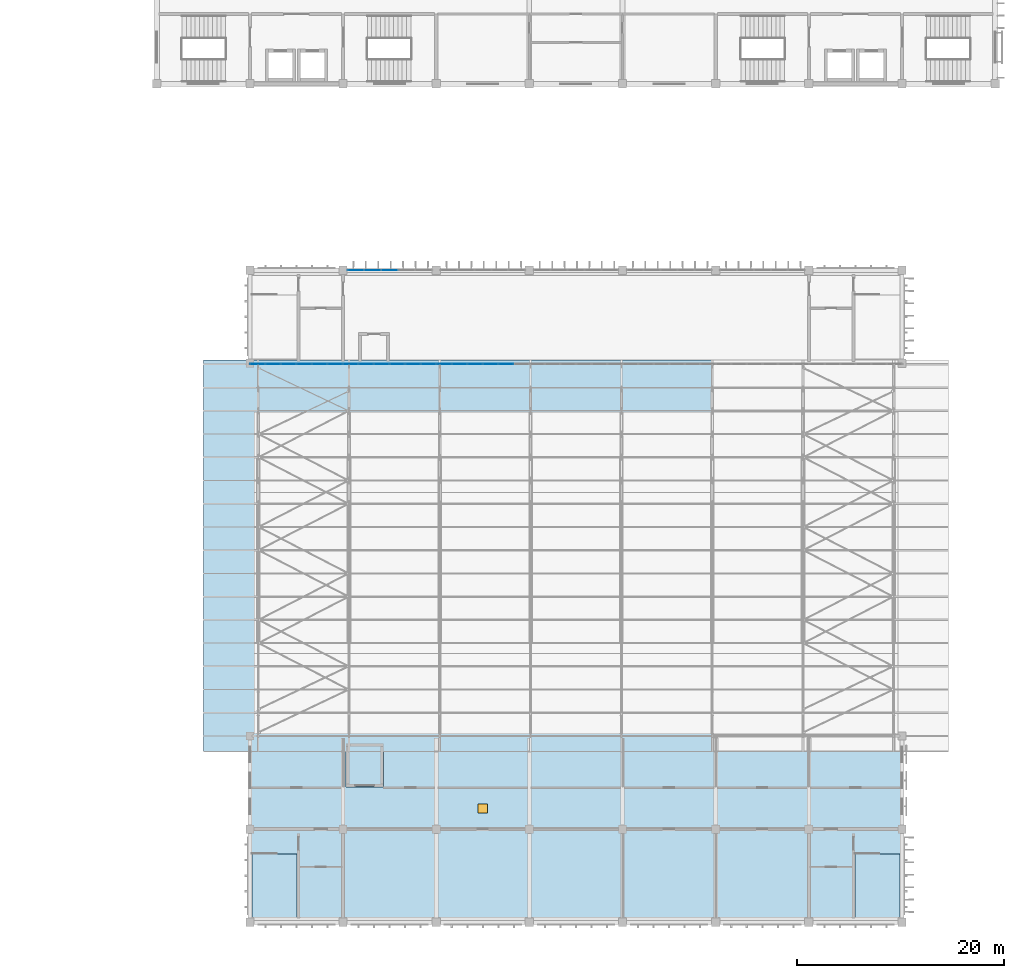
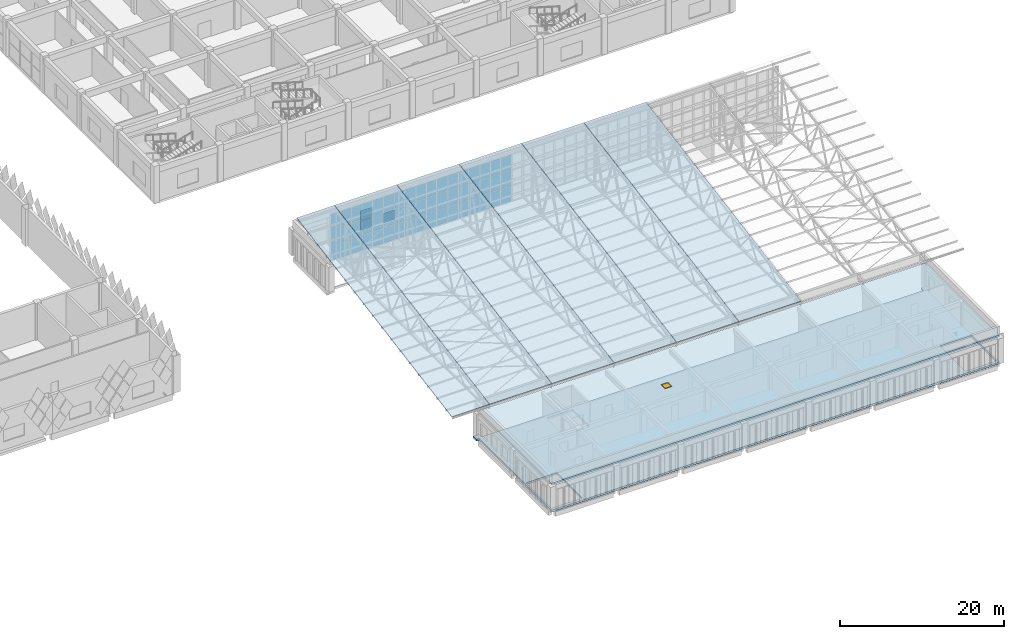
# One storey, part 94 of 185: 56 plates, 8 slabs, 1 window, 1 opening, 2 elements without a shape of their own.
"""IFC4 building model written with IfcOpenShell, lengths in metres."""

from ifc_helpers import new_model, si_unit, direction, frame, origin, origin_2d, place, context, subcontext, project, spatial, polyline, rectangle, outline, extrude, material, layer, layer_set, type_object, element, fill, aggregate, save


model = new_model("IFC4")

# Units and contexts
model_context = context("Model", 3, precision=1e-05, world=origin(), true_north=direction((0.0, 1.0)))
body_context = subcontext(model_context, "Body", "Model", "MODEL_VIEW")
ifc_project = project(units=[si_unit("LENGTHUNIT", "METRE"), si_unit("AREAUNIT", "SQUARE_METRE"), si_unit("VOLUMEUNIT", "CUBIC_METRE"), si_unit("PLANEANGLEUNIT", "RADIAN"), si_unit("MASSUNIT", "GRAM", prefix="KILO")], contexts=[model_context])

# Site, building, storey
site_placement = place(None, origin())
site = spatial("IfcSite", under=ifc_project, at=site_placement, CompositionType="ELEMENT")
building_placement = place(site_placement, origin())
building = spatial("IfcBuilding", under=site, at=building_placement, Name="Opaline Strait Convention Centre", CompositionType="ELEMENT")
storey_placement = place(building_placement, frame((0.0, 0.0, 6.0)))
storey = spatial("IfcBuildingStorey", under=building, at=storey_placement, Name="L01", CompositionType="ELEMENT", Elevation=6.0)

# Curtain wall, plates
ifc_material_1 = material(Name="Aluminium 6063-T5", Category="aluminium")
ifc_layer_1 = layer(ifc_material_1, 0.199951171875)
ifc_layer_set_1 = layer_set([ifc_layer_1], Name="Aluminium 6063-T5")
curtain_wall_type = type_object("IfcCurtainWallType", Name="Unitised curtain wall 1640 module", PredefinedType="NOTDEFINED", material=ifc_layer_set_1)
curtain_wall_1_placement = place(storey_placement, origin())
curtain_wall_1 = element("IfcCurtainWall", 1, at=curtain_wall_1_placement, inside=storey, type_object=curtain_wall_type, Name="Ballroom north curtain wall L01 bay 2", PredefinedType="NOTDEFINED")
ifc_material_2 = material(Name="Double glazed unit low emissivity", Category="glass")
ifc_layer_2 = layer(ifc_material_2, 0.028076171875)
ifc_layer_set_2 = layer_set([ifc_layer_2], Name="Double glazed unit low emissivity")
plate_type = type_object("IfcPlateType", Name="Curtain wall glass panel 28", PredefinedType="CURTAIN_PANEL", material=ifc_layer_set_2)
plate_1_placement = place(storey_placement, frame((298.23486328125, 72.0, 0.06005859375), z_axis=(0.0, 0.0, 1.0), x_axis=(1.0, 0.0, 0.0)))
plate_1 = element("IfcPlate", 2, at=plate_1_placement, type_object=plate_type, Name="BG2 panel 1.1", PredefinedType="CURTAIN_PANEL", context=body_context, shape_type="SweptSolid", body=[
    extrude(rectangle(XDim=1.550048828125, YDim=0.028076171875, at=origin_2d()), origin(), (0.0, 0.0, 1.0), 1.43505859375),
])
plate_2_placement = place(storey_placement, frame((298.23486328125, 72.0, 1.554931640625), z_axis=(0.0, 0.0, 1.0), x_axis=(1.0, 0.0, 0.0)))
plate_2 = element("IfcPlate", 3, at=plate_2_placement, type_object=plate_type, Name="BG2 panel 1.2", PredefinedType="CURTAIN_PANEL", context=body_context, shape_type="SweptSolid", body=[
    extrude(rectangle(XDim=1.550048828125, YDim=0.028076171875, at=origin_2d()), origin(), (0.0, 0.0, 1.0), 1.43505859375),
])
plate_3_placement = place(storey_placement, frame((299.85986328125, 72.0, 0.06005859375), z_axis=(0.0, 0.0, 1.0), x_axis=(1.0, 0.0, 0.0)))
plate_3 = element("IfcPlate", 4, at=plate_3_placement, type_object=plate_type, Name="BG2 panel 2.1", PredefinedType="CURTAIN_PANEL", context=body_context, shape_type="SweptSolid", body=[
    extrude(rectangle(XDim=1.580078125, YDim=0.028076171875, at=origin_2d()), origin(), (0.0, 0.0, 1.0), 1.43505859375),
])
plate_4_placement = place(storey_placement, frame((299.85986328125, 72.0, 1.554931640625), z_axis=(0.0, 0.0, 1.0), x_axis=(1.0, 0.0, 0.0)))
plate_4 = element("IfcPlate", 5, at=plate_4_placement, type_object=plate_type, Name="BG2 panel 2.2", PredefinedType="CURTAIN_PANEL", context=body_context, shape_type="SweptSolid", body=[
    extrude(rectangle(XDim=1.580078125, YDim=0.028076171875, at=origin_2d()), origin(), (0.0, 0.0, 1.0), 1.43505859375),
])
plate_5_placement = place(storey_placement, frame((301.5, 72.0, 0.06005859375), z_axis=(0.0, 0.0, 1.0), x_axis=(1.0, 0.0, 0.0)))
plate_5 = element("IfcPlate", 6, at=plate_5_placement, type_object=plate_type, Name="BG2 panel 3.1", PredefinedType="CURTAIN_PANEL", context=body_context, shape_type="SweptSolid", body=[
    extrude(rectangle(XDim=1.580078125, YDim=0.028076171875, at=origin_2d()), origin(), (0.0, 0.0, 1.0), 1.43505859375),
])
aggregate(curtain_wall_1, [plate_1, plate_2, plate_3, plate_4, plate_5])

curtain_wall_2_placement = place(storey_placement, origin())
curtain_wall_2 = element("IfcCurtainWall", 7, at=curtain_wall_2_placement, inside=storey, type_object=curtain_wall_type, Name="Ballroom north clerestory curtain wall", PredefinedType="NOTDEFINED")
plate_6_placement = place(storey_placement, frame((288.735595703125, 62.929931640625, 4.384765625), z_axis=(0.0, 0.0, 1.0), x_axis=(1.0, 0.0, 0.0)))
plate_6 = element("IfcPlate", 8, at=plate_6_placement, type_object=plate_type, Name="BG2 panel 1.1", PredefinedType="CURTAIN_PANEL", context=body_context, shape_type="SweptSolid", body=[
    extrude(rectangle(XDim=1.411376953125, YDim=0.028076171875, at=origin_2d()), origin(), (0.0, 0.0, 1.0), 2.248291015625),
])
plate_7_placement = place(storey_placement, frame((288.735595703125, 62.929931640625, 6.693359375), z_axis=(0.0, 0.0, 1.0), x_axis=(1.0, 0.0, 0.0)))
plate_7 = element("IfcPlate", 9, at=plate_7_placement, type_object=plate_type, Name="BG2 panel 1.2", PredefinedType="CURTAIN_PANEL", context=body_context, shape_type="SweptSolid", body=[
    extrude(rectangle(XDim=1.411376953125, YDim=0.028076171875, at=origin_2d()), origin(), (0.0, 0.0, 1.0), 2.2783203125),
])
plate_8_placement = place(storey_placement, frame((288.735595703125, 62.929931640625, 9.03173828125), z_axis=(0.0, 0.0, 1.0), x_axis=(1.0, 0.0, 0.0)))
plate_8 = element("IfcPlate", 10, at=plate_8_placement, type_object=plate_type, Name="BG2 panel 1.3", PredefinedType="CURTAIN_PANEL", context=body_context, shape_type="SweptSolid", body=[
    extrude(rectangle(XDim=1.411376953125, YDim=0.028076171875, at=origin_2d()), origin(), (0.0, 0.0, 1.0), 2.248291015625),
])
plate_9_placement = place(storey_placement, frame((290.22216796875, 62.929931640625, 4.384765625), z_axis=(0.0, 0.0, 1.0), x_axis=(1.0, 0.0, 0.0)))
plate_9 = element("IfcPlate", 11, at=plate_9_placement, type_object=plate_type, Name="BG2 panel 2.1", PredefinedType="CURTAIN_PANEL", context=body_context, shape_type="SweptSolid", body=[
    extrude(rectangle(XDim=1.44140625, YDim=0.028076171875, at=origin_2d()), origin(), (0.0, 0.0, 1.0), 2.248291015625),
])
plate_10_placement = place(storey_placement, frame((290.22216796875, 62.929931640625, 6.693359375), z_axis=(0.0, 0.0, 1.0), x_axis=(1.0, 0.0, 0.0)))
plate_10 = element("IfcPlate", 12, at=plate_10_placement, type_object=plate_type, Name="BG2 panel 2.2", PredefinedType="CURTAIN_PANEL", context=body_context, shape_type="SweptSolid", body=[
    extrude(rectangle(XDim=1.44140625, YDim=0.028076171875, at=origin_2d()), origin(), (0.0, 0.0, 1.0), 2.2783203125),
])
plate_11_placement = place(storey_placement, frame((290.22216796875, 62.929931640625, 9.03173828125), z_axis=(0.0, 0.0, 1.0), x_axis=(1.0, 0.0, 0.0)))
plate_11 = element("IfcPlate", 13, at=plate_11_placement, type_object=plate_type, Name="BG2 panel 2.3", PredefinedType="CURTAIN_PANEL", context=body_context, shape_type="SweptSolid", body=[
    extrude(rectangle(XDim=1.44140625, YDim=0.028076171875, at=origin_2d()), origin(), (0.0, 0.0, 1.0), 2.248291015625),
])
plate_12_placement = place(storey_placement, frame((291.7236328125, 62.929931640625, 4.384765625), z_axis=(0.0, 0.0, 1.0), x_axis=(1.0, 0.0, 0.0)))
plate_12 = element("IfcPlate", 14, at=plate_12_placement, type_object=plate_type, Name="BG2 panel 3.1", PredefinedType="CURTAIN_PANEL", context=body_context, shape_type="SweptSolid", body=[
    extrude(rectangle(XDim=1.44140625, YDim=0.028076171875, at=origin_2d()), origin(), (0.0, 0.0, 1.0), 2.248291015625),
])
plate_13_placement = place(storey_placement, frame((291.7236328125, 62.929931640625, 6.693359375), z_axis=(0.0, 0.0, 1.0), x_axis=(1.0, 0.0, 0.0)))
plate_13 = element("IfcPlate", 15, at=plate_13_placement, type_object=plate_type, Name="BG2 panel 3.2", PredefinedType="CURTAIN_PANEL", context=body_context, shape_type="SweptSolid", body=[
    extrude(rectangle(XDim=1.44140625, YDim=0.028076171875, at=origin_2d()), origin(), (0.0, 0.0, 1.0), 2.2783203125),
])
plate_14_placement = place(storey_placement, frame((291.7236328125, 62.929931640625, 9.03173828125), z_axis=(0.0, 0.0, 1.0), x_axis=(1.0, 0.0, 0.0)))
plate_14 = element("IfcPlate", 16, at=plate_14_placement, type_object=plate_type, Name="BG2 panel 3.3", PredefinedType="CURTAIN_PANEL", context=body_context, shape_type="SweptSolid", body=[
    extrude(rectangle(XDim=1.44140625, YDim=0.028076171875, at=origin_2d()), origin(), (0.0, 0.0, 1.0), 2.248291015625),
])
plate_15_placement = place(storey_placement, frame((293.22509765625, 62.929931640625, 4.384765625), z_axis=(0.0, 0.0, 1.0), x_axis=(1.0, 0.0, 0.0)))
plate_15 = element("IfcPlate", 17, at=plate_15_placement, type_object=plate_type, Name="BG2 panel 4.1", PredefinedType="CURTAIN_PANEL", context=body_context, shape_type="SweptSolid", body=[
    extrude(rectangle(XDim=1.44140625, YDim=0.028076171875, at=origin_2d()), origin(), (0.0, 0.0, 1.0), 2.248291015625),
])
plate_16_placement = place(storey_placement, frame((293.22509765625, 62.929931640625, 6.693359375), z_axis=(0.0, 0.0, 1.0), x_axis=(1.0, 0.0, 0.0)))
plate_16 = element("IfcPlate", 18, at=plate_16_placement, type_object=plate_type, Name="BG2 panel 4.2", PredefinedType="CURTAIN_PANEL", context=body_context, shape_type="SweptSolid", body=[
    extrude(rectangle(XDim=1.44140625, YDim=0.028076171875, at=origin_2d()), origin(), (0.0, 0.0, 1.0), 2.2783203125),
])
plate_17_placement = place(storey_placement, frame((293.22509765625, 62.929931640625, 9.03173828125), z_axis=(0.0, 0.0, 1.0), x_axis=(1.0, 0.0, 0.0)))
plate_17 = element("IfcPlate", 19, at=plate_17_placement, type_object=plate_type, Name="BG2 panel 4.3", PredefinedType="CURTAIN_PANEL", context=body_context, shape_type="SweptSolid", body=[
    extrude(rectangle(XDim=1.44140625, YDim=0.028076171875, at=origin_2d()), origin(), (0.0, 0.0, 1.0), 2.248291015625),
])
plate_18_placement = place(storey_placement, frame((294.726318359375, 62.929931640625, 4.384765625), z_axis=(0.0, 0.0, 1.0), x_axis=(1.0, 0.0, 0.0)))
plate_18 = element("IfcPlate", 20, at=plate_18_placement, type_object=plate_type, Name="BG2 panel 5.1", PredefinedType="CURTAIN_PANEL", context=body_context, shape_type="SweptSolid", body=[
    extrude(rectangle(XDim=1.44140625, YDim=0.028076171875, at=origin_2d()), origin(), (0.0, 0.0, 1.0), 2.248291015625),
])
plate_19_placement = place(storey_placement, frame((294.726318359375, 62.929931640625, 6.693359375), z_axis=(0.0, 0.0, 1.0), x_axis=(1.0, 0.0, 0.0)))
plate_19 = element("IfcPlate", 21, at=plate_19_placement, type_object=plate_type, Name="BG2 panel 5.2", PredefinedType="CURTAIN_PANEL", context=body_context, shape_type="SweptSolid", body=[
    extrude(rectangle(XDim=1.44140625, YDim=0.028076171875, at=origin_2d()), origin(), (0.0, 0.0, 1.0), 2.2783203125),
])
plate_20_placement = place(storey_placement, frame((294.726318359375, 62.929931640625, 9.03173828125), z_axis=(0.0, 0.0, 1.0), x_axis=(1.0, 0.0, 0.0)))
plate_20 = element("IfcPlate", 22, at=plate_20_placement, type_object=plate_type, Name="BG2 panel 5.3", PredefinedType="CURTAIN_PANEL", context=body_context, shape_type="SweptSolid", body=[
    extrude(rectangle(XDim=1.44140625, YDim=0.028076171875, at=origin_2d()), origin(), (0.0, 0.0, 1.0), 2.248291015625),
])
plate_21_placement = place(storey_placement, frame((296.227783203125, 62.929931640625, 4.384765625), z_axis=(0.0, 0.0, 1.0), x_axis=(1.0, 0.0, 0.0)))
plate_21 = element("IfcPlate", 23, at=plate_21_placement, type_object=plate_type, Name="BG2 panel 6.1", PredefinedType="CURTAIN_PANEL", context=body_context, shape_type="SweptSolid", body=[
    extrude(rectangle(XDim=1.44140625, YDim=0.028076171875, at=origin_2d()), origin(), (0.0, 0.0, 1.0), 2.248291015625),
])
plate_22_placement = place(storey_placement, frame((296.227783203125, 62.929931640625, 6.693359375), z_axis=(0.0, 0.0, 1.0), x_axis=(1.0, 0.0, 0.0)))
plate_22 = element("IfcPlate", 24, at=plate_22_placement, type_object=plate_type, Name="BG2 panel 6.2", PredefinedType="CURTAIN_PANEL", context=body_context, shape_type="SweptSolid", body=[
    extrude(rectangle(XDim=1.44140625, YDim=0.028076171875, at=origin_2d()), origin(), (0.0, 0.0, 1.0), 2.2783203125),
])
plate_23_placement = place(storey_placement, frame((296.227783203125, 62.929931640625, 9.03173828125), z_axis=(0.0, 0.0, 1.0), x_axis=(1.0, 0.0, 0.0)))
plate_23 = element("IfcPlate", 25, at=plate_23_placement, type_object=plate_type, Name="BG2 panel 6.3", PredefinedType="CURTAIN_PANEL", context=body_context, shape_type="SweptSolid", body=[
    extrude(rectangle(XDim=1.44140625, YDim=0.028076171875, at=origin_2d()), origin(), (0.0, 0.0, 1.0), 2.248291015625),
])
plate_24_placement = place(storey_placement, frame((297.729248046875, 62.929931640625, 4.384765625), z_axis=(0.0, 0.0, 1.0), x_axis=(1.0, 0.0, 0.0)))
plate_24 = element("IfcPlate", 26, at=plate_24_placement, type_object=plate_type, Name="BG2 panel 7.1", PredefinedType="CURTAIN_PANEL", context=body_context, shape_type="SweptSolid", body=[
    extrude(rectangle(XDim=1.44140625, YDim=0.028076171875, at=origin_2d()), origin(), (0.0, 0.0, 1.0), 2.248291015625),
])
plate_25_placement = place(storey_placement, frame((297.729248046875, 62.929931640625, 6.693359375), z_axis=(0.0, 0.0, 1.0), x_axis=(1.0, 0.0, 0.0)))
plate_25 = element("IfcPlate", 27, at=plate_25_placement, type_object=plate_type, Name="BG2 panel 7.2", PredefinedType="CURTAIN_PANEL", context=body_context, shape_type="SweptSolid", body=[
    extrude(rectangle(XDim=1.44140625, YDim=0.028076171875, at=origin_2d()), origin(), (0.0, 0.0, 1.0), 2.2783203125),
])
plate_26_placement = place(storey_placement, frame((297.729248046875, 62.929931640625, 9.03173828125), z_axis=(0.0, 0.0, 1.0), x_axis=(1.0, 0.0, 0.0)))
plate_26 = element("IfcPlate", 28, at=plate_26_placement, type_object=plate_type, Name="BG2 panel 7.3", PredefinedType="CURTAIN_PANEL", context=body_context, shape_type="SweptSolid", body=[
    extrude(rectangle(XDim=1.44140625, YDim=0.028076171875, at=origin_2d()), origin(), (0.0, 0.0, 1.0), 2.248291015625),
])
plate_27_placement = place(storey_placement, frame((299.230712890625, 62.929931640625, 4.384765625), z_axis=(0.0, 0.0, 1.0), x_axis=(1.0, 0.0, 0.0)))
plate_27 = element("IfcPlate", 29, at=plate_27_placement, type_object=plate_type, Name="BG2 panel 8.1", PredefinedType="CURTAIN_PANEL", context=body_context, shape_type="SweptSolid", body=[
    extrude(rectangle(XDim=1.44140625, YDim=0.028076171875, at=origin_2d()), origin(), (0.0, 0.0, 1.0), 2.248291015625),
])
plate_28_placement = place(storey_placement, frame((299.230712890625, 62.929931640625, 6.693359375), z_axis=(0.0, 0.0, 1.0), x_axis=(1.0, 0.0, 0.0)))
plate_28 = element("IfcPlate", 30, at=plate_28_placement, type_object=plate_type, Name="BG2 panel 8.2", PredefinedType="CURTAIN_PANEL", context=body_context, shape_type="SweptSolid", body=[
    extrude(rectangle(XDim=1.44140625, YDim=0.028076171875, at=origin_2d()), origin(), (0.0, 0.0, 1.0), 2.2783203125),
])
plate_29_placement = place(storey_placement, frame((299.230712890625, 62.929931640625, 9.03173828125), z_axis=(0.0, 0.0, 1.0), x_axis=(1.0, 0.0, 0.0)))
plate_29 = element("IfcPlate", 31, at=plate_29_placement, type_object=plate_type, Name="BG2 panel 8.3", PredefinedType="CURTAIN_PANEL", context=body_context, shape_type="SweptSolid", body=[
    extrude(rectangle(XDim=1.44140625, YDim=0.028076171875, at=origin_2d()), origin(), (0.0, 0.0, 1.0), 2.248291015625),
])
plate_30_placement = place(storey_placement, frame((300.732177734375, 62.929931640625, 4.384765625), z_axis=(0.0, 0.0, 1.0), x_axis=(1.0, 0.0, 0.0)))
plate_30 = element("IfcPlate", 32, at=plate_30_placement, type_object=plate_type, Name="BG2 panel 9.1", PredefinedType="CURTAIN_PANEL", context=body_context, shape_type="SweptSolid", body=[
    extrude(rectangle(XDim=1.44140625, YDim=0.028076171875, at=origin_2d()), origin(), (0.0, 0.0, 1.0), 2.248291015625),
])
plate_31_placement = place(storey_placement, frame((300.732177734375, 62.929931640625, 6.693359375), z_axis=(0.0, 0.0, 1.0), x_axis=(1.0, 0.0, 0.0)))
plate_31 = element("IfcPlate", 33, at=plate_31_placement, type_object=plate_type, Name="BG2 panel 9.2", PredefinedType="CURTAIN_PANEL", context=body_context, shape_type="SweptSolid", body=[
    extrude(rectangle(XDim=1.44140625, YDim=0.028076171875, at=origin_2d()), origin(), (0.0, 0.0, 1.0), 2.2783203125),
])
plate_32_placement = place(storey_placement, frame((300.732177734375, 62.929931640625, 9.03173828125), z_axis=(0.0, 0.0, 1.0), x_axis=(1.0, 0.0, 0.0)))
plate_32 = element("IfcPlate", 34, at=plate_32_placement, type_object=plate_type, Name="BG2 panel 9.3", PredefinedType="CURTAIN_PANEL", context=body_context, shape_type="SweptSolid", body=[
    extrude(rectangle(XDim=1.44140625, YDim=0.028076171875, at=origin_2d()), origin(), (0.0, 0.0, 1.0), 2.248291015625),
])
plate_33_placement = place(storey_placement, frame((302.233642578125, 62.929931640625, 4.384765625), z_axis=(0.0, 0.0, 1.0), x_axis=(1.0, 0.0, 0.0)))
plate_33 = element("IfcPlate", 35, at=plate_33_placement, type_object=plate_type, Name="BG2 panel 10.1", PredefinedType="CURTAIN_PANEL", context=body_context, shape_type="SweptSolid", body=[
    extrude(rectangle(XDim=1.44140625, YDim=0.028076171875, at=origin_2d()), origin(), (0.0, 0.0, 1.0), 2.248291015625),
])
plate_34_placement = place(storey_placement, frame((302.233642578125, 62.929931640625, 6.693359375), z_axis=(0.0, 0.0, 1.0), x_axis=(1.0, 0.0, 0.0)))
plate_34 = element("IfcPlate", 36, at=plate_34_placement, type_object=plate_type, Name="BG2 panel 10.2", PredefinedType="CURTAIN_PANEL", context=body_context, shape_type="SweptSolid", body=[
    extrude(rectangle(XDim=1.44140625, YDim=0.028076171875, at=origin_2d()), origin(), (0.0, 0.0, 1.0), 2.2783203125),
])
plate_35_placement = place(storey_placement, frame((302.233642578125, 62.929931640625, 9.03173828125), z_axis=(0.0, 0.0, 1.0), x_axis=(1.0, 0.0, 0.0)))
plate_35 = element("IfcPlate", 37, at=plate_35_placement, type_object=plate_type, Name="BG2 panel 10.3", PredefinedType="CURTAIN_PANEL", context=body_context, shape_type="SweptSolid", body=[
    extrude(rectangle(XDim=1.44140625, YDim=0.028076171875, at=origin_2d()), origin(), (0.0, 0.0, 1.0), 2.248291015625),
])
plate_36_placement = place(storey_placement, frame((303.73486328125, 62.929931640625, 4.384765625), z_axis=(0.0, 0.0, 1.0), x_axis=(1.0, 0.0, 0.0)))
plate_36 = element("IfcPlate", 38, at=plate_36_placement, type_object=plate_type, Name="BG2 panel 11.1", PredefinedType="CURTAIN_PANEL", context=body_context, shape_type="SweptSolid", body=[
    extrude(rectangle(XDim=1.44140625, YDim=0.028076171875, at=origin_2d()), origin(), (0.0, 0.0, 1.0), 2.248291015625),
])
plate_37_placement = place(storey_placement, frame((303.73486328125, 62.929931640625, 6.693359375), z_axis=(0.0, 0.0, 1.0), x_axis=(1.0, 0.0, 0.0)))
plate_37 = element("IfcPlate", 39, at=plate_37_placement, type_object=plate_type, Name="BG2 panel 11.2", PredefinedType="CURTAIN_PANEL", context=body_context, shape_type="SweptSolid", body=[
    extrude(rectangle(XDim=1.44140625, YDim=0.028076171875, at=origin_2d()), origin(), (0.0, 0.0, 1.0), 2.2783203125),
])
plate_38_placement = place(storey_placement, frame((303.73486328125, 62.929931640625, 9.03173828125), z_axis=(0.0, 0.0, 1.0), x_axis=(1.0, 0.0, 0.0)))
plate_38 = element("IfcPlate", 40, at=plate_38_placement, type_object=plate_type, Name="BG2 panel 11.3", PredefinedType="CURTAIN_PANEL", context=body_context, shape_type="SweptSolid", body=[
    extrude(rectangle(XDim=1.44140625, YDim=0.028076171875, at=origin_2d()), origin(), (0.0, 0.0, 1.0), 2.248291015625),
])
plate_39_placement = place(storey_placement, frame((305.236328125, 62.929931640625, 4.384765625), z_axis=(0.0, 0.0, 1.0), x_axis=(1.0, 0.0, 0.0)))
plate_39 = element("IfcPlate", 41, at=plate_39_placement, type_object=plate_type, Name="BG2 panel 12.1", PredefinedType="CURTAIN_PANEL", context=body_context, shape_type="SweptSolid", body=[
    extrude(rectangle(XDim=1.44140625, YDim=0.028076171875, at=origin_2d()), origin(), (0.0, 0.0, 1.0), 2.248291015625),
])
plate_40_placement = place(storey_placement, frame((305.236328125, 62.929931640625, 6.693359375), z_axis=(0.0, 0.0, 1.0), x_axis=(1.0, 0.0, 0.0)))
plate_40 = element("IfcPlate", 42, at=plate_40_placement, type_object=plate_type, Name="BG2 panel 12.2", PredefinedType="CURTAIN_PANEL", context=body_context, shape_type="SweptSolid", body=[
    extrude(rectangle(XDim=1.44140625, YDim=0.028076171875, at=origin_2d()), origin(), (0.0, 0.0, 1.0), 2.2783203125),
])
plate_41_placement = place(storey_placement, frame((305.236328125, 62.929931640625, 9.03173828125), z_axis=(0.0, 0.0, 1.0), x_axis=(1.0, 0.0, 0.0)))
plate_41 = element("IfcPlate", 43, at=plate_41_placement, type_object=plate_type, Name="BG2 panel 12.3", PredefinedType="CURTAIN_PANEL", context=body_context, shape_type="SweptSolid", body=[
    extrude(rectangle(XDim=1.44140625, YDim=0.028076171875, at=origin_2d()), origin(), (0.0, 0.0, 1.0), 2.248291015625),
])
plate_42_placement = place(storey_placement, frame((306.73779296875, 62.929931640625, 4.384765625), z_axis=(0.0, 0.0, 1.0), x_axis=(1.0, 0.0, 0.0)))
plate_42 = element("IfcPlate", 44, at=plate_42_placement, type_object=plate_type, Name="BG2 panel 13.1", PredefinedType="CURTAIN_PANEL", context=body_context, shape_type="SweptSolid", body=[
    extrude(rectangle(XDim=1.44140625, YDim=0.028076171875, at=origin_2d()), origin(), (0.0, 0.0, 1.0), 2.248291015625),
])
plate_43_placement = place(storey_placement, frame((306.73779296875, 62.929931640625, 6.693359375), z_axis=(0.0, 0.0, 1.0), x_axis=(1.0, 0.0, 0.0)))
plate_43 = element("IfcPlate", 45, at=plate_43_placement, type_object=plate_type, Name="BG2 panel 13.2", PredefinedType="CURTAIN_PANEL", context=body_context, shape_type="SweptSolid", body=[
    extrude(rectangle(XDim=1.44140625, YDim=0.028076171875, at=origin_2d()), origin(), (0.0, 0.0, 1.0), 2.2783203125),
])
plate_44_placement = place(storey_placement, frame((306.73779296875, 62.929931640625, 9.03173828125), z_axis=(0.0, 0.0, 1.0), x_axis=(1.0, 0.0, 0.0)))
plate_44 = element("IfcPlate", 46, at=plate_44_placement, type_object=plate_type, Name="BG2 panel 13.3", PredefinedType="CURTAIN_PANEL", context=body_context, shape_type="SweptSolid", body=[
    extrude(rectangle(XDim=1.44140625, YDim=0.028076171875, at=origin_2d()), origin(), (0.0, 0.0, 1.0), 2.248291015625),
])
plate_45_placement = place(storey_placement, frame((308.2392578125, 62.929931640625, 4.384765625), z_axis=(0.0, 0.0, 1.0), x_axis=(1.0, 0.0, 0.0)))
plate_45 = element("IfcPlate", 47, at=plate_45_placement, type_object=plate_type, Name="BG2 panel 14.1", PredefinedType="CURTAIN_PANEL", context=body_context, shape_type="SweptSolid", body=[
    extrude(rectangle(XDim=1.44140625, YDim=0.028076171875, at=origin_2d()), origin(), (0.0, 0.0, 1.0), 2.248291015625),
])
plate_46_placement = place(storey_placement, frame((308.2392578125, 62.929931640625, 6.693359375), z_axis=(0.0, 0.0, 1.0), x_axis=(1.0, 0.0, 0.0)))
plate_46 = element("IfcPlate", 48, at=plate_46_placement, type_object=plate_type, Name="BG2 panel 14.2", PredefinedType="CURTAIN_PANEL", context=body_context, shape_type="SweptSolid", body=[
    extrude(rectangle(XDim=1.44140625, YDim=0.028076171875, at=origin_2d()), origin(), (0.0, 0.0, 1.0), 2.2783203125),
])
plate_47_placement = place(storey_placement, frame((308.2392578125, 62.929931640625, 9.03173828125), z_axis=(0.0, 0.0, 1.0), x_axis=(1.0, 0.0, 0.0)))
plate_47 = element("IfcPlate", 49, at=plate_47_placement, type_object=plate_type, Name="BG2 panel 14.3", PredefinedType="CURTAIN_PANEL", context=body_context, shape_type="SweptSolid", body=[
    extrude(rectangle(XDim=1.44140625, YDim=0.028076171875, at=origin_2d()), origin(), (0.0, 0.0, 1.0), 2.248291015625),
])
plate_48_placement = place(storey_placement, frame((309.74072265625, 62.929931640625, 4.384765625), z_axis=(0.0, 0.0, 1.0), x_axis=(1.0, 0.0, 0.0)))
plate_48 = element("IfcPlate", 50, at=plate_48_placement, type_object=plate_type, Name="BG2 panel 15.1", PredefinedType="CURTAIN_PANEL", context=body_context, shape_type="SweptSolid", body=[
    extrude(rectangle(XDim=1.44140625, YDim=0.028076171875, at=origin_2d()), origin(), (0.0, 0.0, 1.0), 2.248291015625),
])
plate_49_placement = place(storey_placement, frame((309.74072265625, 62.929931640625, 6.693359375), z_axis=(0.0, 0.0, 1.0), x_axis=(1.0, 0.0, 0.0)))
plate_49 = element("IfcPlate", 51, at=plate_49_placement, type_object=plate_type, Name="BG2 panel 15.2", PredefinedType="CURTAIN_PANEL", context=body_context, shape_type="SweptSolid", body=[
    extrude(rectangle(XDim=1.44140625, YDim=0.028076171875, at=origin_2d()), origin(), (0.0, 0.0, 1.0), 2.2783203125),
])
plate_50_placement = place(storey_placement, frame((309.74072265625, 62.929931640625, 9.03173828125), z_axis=(0.0, 0.0, 1.0), x_axis=(1.0, 0.0, 0.0)))
plate_50 = element("IfcPlate", 52, at=plate_50_placement, type_object=plate_type, Name="BG2 panel 15.3", PredefinedType="CURTAIN_PANEL", context=body_context, shape_type="SweptSolid", body=[
    extrude(rectangle(XDim=1.44140625, YDim=0.028076171875, at=origin_2d()), origin(), (0.0, 0.0, 1.0), 2.248291015625),
])
plate_51_placement = place(storey_placement, frame((311.2421875, 62.929931640625, 4.384765625), z_axis=(0.0, 0.0, 1.0), x_axis=(1.0, 0.0, 0.0)))
plate_51 = element("IfcPlate", 53, at=plate_51_placement, type_object=plate_type, Name="BG2 panel 16.1", PredefinedType="CURTAIN_PANEL", context=body_context, shape_type="SweptSolid", body=[
    extrude(rectangle(XDim=1.44140625, YDim=0.028076171875, at=origin_2d()), origin(), (0.0, 0.0, 1.0), 2.248291015625),
])
plate_52_placement = place(storey_placement, frame((311.2421875, 62.929931640625, 6.693359375), z_axis=(0.0, 0.0, 1.0), x_axis=(1.0, 0.0, 0.0)))
plate_52 = element("IfcPlate", 54, at=plate_52_placement, type_object=plate_type, Name="BG2 panel 16.2", PredefinedType="CURTAIN_PANEL", context=body_context, shape_type="SweptSolid", body=[
    extrude(rectangle(XDim=1.44140625, YDim=0.028076171875, at=origin_2d()), origin(), (0.0, 0.0, 1.0), 2.2783203125),
])
plate_53_placement = place(storey_placement, frame((311.2421875, 62.929931640625, 9.03173828125), z_axis=(0.0, 0.0, 1.0), x_axis=(1.0, 0.0, 0.0)))
plate_53 = element("IfcPlate", 55, at=plate_53_placement, type_object=plate_type, Name="BG2 panel 16.3", PredefinedType="CURTAIN_PANEL", context=body_context, shape_type="SweptSolid", body=[
    extrude(rectangle(XDim=1.44140625, YDim=0.028076171875, at=origin_2d()), origin(), (0.0, 0.0, 1.0), 2.248291015625),
])
plate_54_placement = place(storey_placement, frame((312.74365234375, 62.929931640625, 4.384765625), z_axis=(0.0, 0.0, 1.0), x_axis=(1.0, 0.0, 0.0)))
plate_54 = element("IfcPlate", 56, at=plate_54_placement, type_object=plate_type, Name="BG2 panel 17.1", PredefinedType="CURTAIN_PANEL", context=body_context, shape_type="SweptSolid", body=[
    extrude(rectangle(XDim=1.44140625, YDim=0.028076171875, at=origin_2d()), origin(), (0.0, 0.0, 1.0), 2.248291015625),
])
plate_55_placement = place(storey_placement, frame((312.74365234375, 62.929931640625, 6.693359375), z_axis=(0.0, 0.0, 1.0), x_axis=(1.0, 0.0, 0.0)))
plate_55 = element("IfcPlate", 57, at=plate_55_placement, type_object=plate_type, Name="BG2 panel 17.2", PredefinedType="CURTAIN_PANEL", context=body_context, shape_type="SweptSolid", body=[
    extrude(rectangle(XDim=1.44140625, YDim=0.028076171875, at=origin_2d()), origin(), (0.0, 0.0, 1.0), 2.2783203125),
])
plate_56_placement = place(storey_placement, frame((312.74365234375, 62.929931640625, 9.03173828125), z_axis=(0.0, 0.0, 1.0), x_axis=(1.0, 0.0, 0.0)))
plate_56 = element("IfcPlate", 58, at=plate_56_placement, type_object=plate_type, Name="BG2 panel 17.3", PredefinedType="CURTAIN_PANEL", context=body_context, shape_type="SweptSolid", body=[
    extrude(rectangle(XDim=1.44140625, YDim=0.028076171875, at=origin_2d()), origin(), (0.0, 0.0, 1.0), 2.248291015625),
])
aggregate(curtain_wall_2, [plate_6, plate_7, plate_8, plate_9, plate_10, plate_11, plate_12, plate_13, plate_14, plate_15, plate_16, plate_17, plate_18, plate_19, plate_20, plate_21, plate_22, plate_23, plate_24, plate_25, plate_26, plate_27, plate_28, plate_29, plate_30, plate_31, plate_32, plate_33, plate_34, plate_35, plate_36, plate_37, plate_38, plate_39, plate_40, plate_41, plate_42, plate_43, plate_44, plate_45, plate_46, plate_47, plate_48, plate_49, plate_50, plate_51, plate_52, plate_53, plate_54, plate_55, plate_56])

# Slabs
ifc_material_3 = material(Name="Steel S350GD+Z275", Category="steel")
ifc_layer_3 = layer(ifc_material_3, 0.10009765625)
ifc_layer_set_3 = layer_set([ifc_layer_3], Name="Steel S350GD+Z275")
slab_type_1 = type_object("IfcSlabType", Name="Roof deck steel sheet 100", PredefinedType="ROOF", material=ifc_layer_set_3)
slab_1_placement = place(storey_placement, frame((283.5, 25.5, 5.479248046875), z_axis=(0.0, -0.173651076417, 0.98480724188), x_axis=(1.0, 0.0, 0.0)))
element("IfcSlab", 59, at=slab_1_placement, inside=storey, type_object=slab_type_1, Name="BDK1 roof deck bay 1", PredefinedType="ROOF", context=body_context, shape_type="SweptSolid", body=[
    extrude(outline(polyline([(0.0, 0.0), (5.300048828125, 0.0), (5.300048828125, 38.38319543220046), (0.0, 38.38319543220046), (0.0, 0.0)])), origin(), (0.0, 0.0, -1.0), 0.10009765625),
])
slab_2_placement = place(storey_placement, frame((288.800048828125, 25.5, 5.479248046875), z_axis=(0.0, -0.173651076417, 0.98480724188), x_axis=(1.0, 0.0, 0.0)))
element("IfcSlab", 60, at=slab_2_placement, inside=storey, type_object=slab_type_1, Name="BDK1 roof deck bay 2", PredefinedType="ROOF", context=body_context, shape_type="SweptSolid", body=[
    extrude(outline(polyline([(0.0, 0.0), (8.771240234375, 0.0), (8.771240234375, 38.383195432200466), (0.0, 38.383195432200466), (0.0, 0.0)])), origin(), (0.0, 0.0, -1.0), 0.10009765625),
])
slab_3_placement = place(storey_placement, frame((297.5712890625, 25.5, 5.479248046875), z_axis=(0.0, -0.173651076417, 0.98480724188), x_axis=(1.0, 0.0, 0.0)))
element("IfcSlab", 61, at=slab_3_placement, inside=storey, type_object=slab_type_1, Name="BDK1 roof deck bay 3", PredefinedType="ROOF", context=body_context, shape_type="SweptSolid", body=[
    extrude(outline(polyline([(0.0, 0.0), (8.771728515625, 0.0), (8.771728515625, 38.38319543220046), (0.0, 38.38319543220046), (0.0, 0.0)])), origin(), (0.0, 0.0, -1.0), 0.10009765625),
])
slab_4_placement = place(storey_placement, frame((306.343017578125, 25.5, 5.479248046875), z_axis=(0.0, -0.173651076417, 0.98480724188), x_axis=(1.0, 0.0, 0.0)))
element("IfcSlab", 62, at=slab_4_placement, inside=storey, type_object=slab_type_1, Name="BDK1 roof deck bay 4", PredefinedType="ROOF", context=body_context, shape_type="SweptSolid", body=[
    extrude(outline(polyline([(0.0, 0.0), (8.771240234375, 0.0), (8.771240234375, 38.383195432200466), (0.0, 38.383195432200466), (0.0, 0.0)])), origin(), (0.0, 0.0, -1.0), 0.10009765625),
])
slab_5_placement = place(storey_placement, frame((315.1142578125, 25.5, 5.479248046875), z_axis=(0.0, -0.173651076417, 0.98480724188), x_axis=(1.0, 0.0, 0.0)))
element("IfcSlab", 63, at=slab_5_placement, inside=storey, type_object=slab_type_1, Name="BDK1 roof deck bay 5", PredefinedType="ROOF", context=body_context, shape_type="SweptSolid", body=[
    extrude(outline(polyline([(0.0, 0.0), (8.771484375, 0.0), (8.771484375, 38.38319543220046), (0.0, 38.38319543220046), (0.0, 0.0)])), origin(), (0.0, 0.0, -1.0), 0.10009765625),
])
slab_6_placement = place(storey_placement, frame((323.8857421875, 25.5, 5.479248046875), z_axis=(0.0, -0.173651076417, 0.98480724188), x_axis=(1.0, 0.0, 0.0)))
element("IfcSlab", 64, at=slab_6_placement, inside=storey, type_object=slab_type_1, Name="BDK1 roof deck bay 6", PredefinedType="ROOF", context=body_context, shape_type="SweptSolid", body=[
    extrude(outline(polyline([(0.0, 0.0), (8.771240234375, 0.0), (8.771240234375, 38.383195432200466), (0.0, 38.383195432200466), (0.0, 0.0)])), origin(), (0.0, 0.0, -1.0), 0.10009765625),
])

# Slab, opening, window
ifc_material_4 = material(Name="Concrete C35", Category="concrete")
ifc_layer_4 = layer(ifc_material_4, 0.25)
ifc_layer_set_4 = layer_set([ifc_layer_4], Name="Concrete C35")
slab_type_2 = type_object("IfcSlabType", Name="Strip roof slab 250 C35", PredefinedType="ROOF", material=ifc_layer_set_4)
slab_7_placement = place(storey_placement, frame((0.0, 0.0, 3.75)))
slab_7 = element("IfcSlab", 65, at=slab_7_placement, inside=storey, type_object=slab_type_2, Name="BS3 strip roof S", PredefinedType="ROOF", context=body_context, shape_type="SweptSolid", body=[
    extrude(outline(polyline([(288.0, 9.0), (288.0, 26.800048828125), (351.0, 26.800048828125), (351.0, 9.0), (288.0, 9.0)]), holes=[polyline([(311.0, 20.5), (310.0, 20.5), (310.0, 19.5), (311.0, 19.5), (311.0, 20.5)])]), origin(), (0.0, 0.0, 1.0), 0.25),
])
opening_placement = place(slab_7_placement, frame((310.5, 20.0, 0.0)))
opening = element("IfcOpeningElement", 66, at=opening_placement, cuts=slab_7, Name="Opening BH1", PredefinedType="OPENING", context=body_context, shape_type="SweptSolid", body=[
    extrude(rectangle(XDim=0.89990234375, YDim=0.89990234375, at=origin_2d()), origin(), (0.0, 0.0, 1.0), 0.25),
])
ifc_material_5 = material(Name="Steel Q235B", Category="steel")
window_type = type_object("IfcWindowType", Name="Roof access hatch 900 x 900", PartitioningType="SINGLE_PANEL", PredefinedType="SKYLIGHT", material=ifc_material_5)
window_placement = place(opening_placement, frame((0.0, 0.0, 0.199951171875)))
window = element("IfcWindow", 67, at=window_placement, inside=storey, type_object=window_type, Name="Roof space access hatch", OverallHeight=0.89990234375, OverallWidth=0.89990234375, PartitioningType="SINGLE_PANEL", PredefinedType="SKYLIGHT", context=body_context, shape_type="SweptSolid", body=[
    extrude(rectangle(XDim=0.89990234375, YDim=0.89990234375, at=origin_2d()), origin(), (0.0, 0.0, 1.0), 0.050048828125),
])
fill(opening, window)

# Slab
ifc_layer_5 = layer(ifc_material_4, 0.280029296875)
ifc_layer_set_5 = layer_set([ifc_layer_5], Name="Concrete C35")
slab_type_3 = type_object("IfcSlabType", Name="Suspended floor slab 280 C35", PredefinedType="FLOOR", material=ifc_layer_set_5)
slab_8_placement = place(storey_placement, frame((0.0, 0.0, -0.280029296875)))
element("IfcSlab", 68, at=slab_8_placement, inside=storey, type_object=slab_type_3, Name="BS2 mezzanine floor S", PredefinedType="FLOOR", context=body_context, shape_type="SweptSolid", body=[
    extrude(outline(polyline([(288.39990234375, 26.800048828125), (350.60009765625, 26.800048828125), (350.60009765625, 27.39990234375), (351.39990234375, 27.39990234375), (351.39990234375, 26.60009765625), (351.0, 26.60009765625), (351.0, 9.0), (288.0, 9.0), (288.0, 26.60009765625), (287.60009765625, 26.60009765625), (287.60009765625, 27.39990234375), (288.39990234375, 27.39990234375), (288.39990234375, 26.800048828125)]), holes=[polyline([(300.89990234375, 26.27490234375), (297.300048828125, 26.27490234375), (297.300048828125, 22.074951171875), (300.89990234375, 22.074951171875), (300.89990234375, 26.27490234375)]), polyline([(292.550048828125, 9.39990234375), (292.550048828125, 15.59912109375), (288.199951171875, 15.59912109375), (288.199951171875, 9.39990234375), (292.550048828125, 9.39990234375)]), polyline([(346.449951171875, 9.39990234375), (350.800048828125, 9.39990234375), (350.800048828125, 15.59912109375), (346.449951171875, 15.59912109375), (346.449951171875, 9.39990234375)])]), origin(), (0.0, 0.0, 1.0), 0.280029296875),
])

save(model, "model.ifc")
